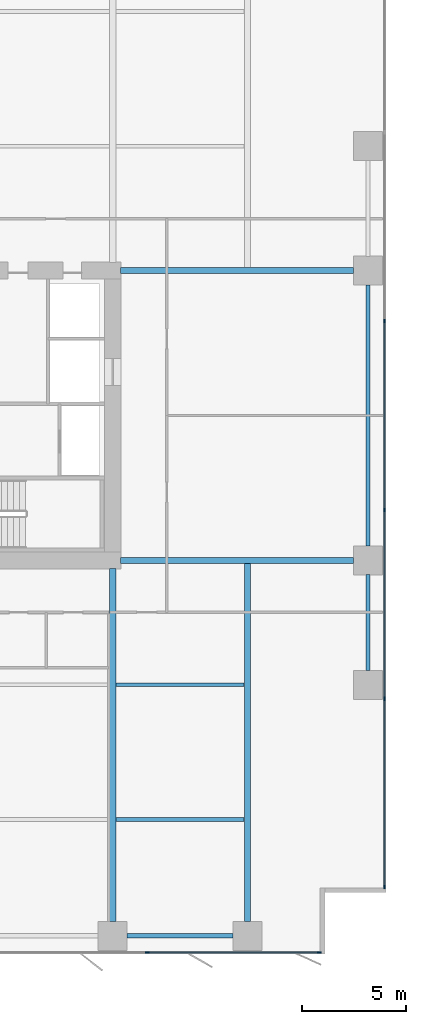
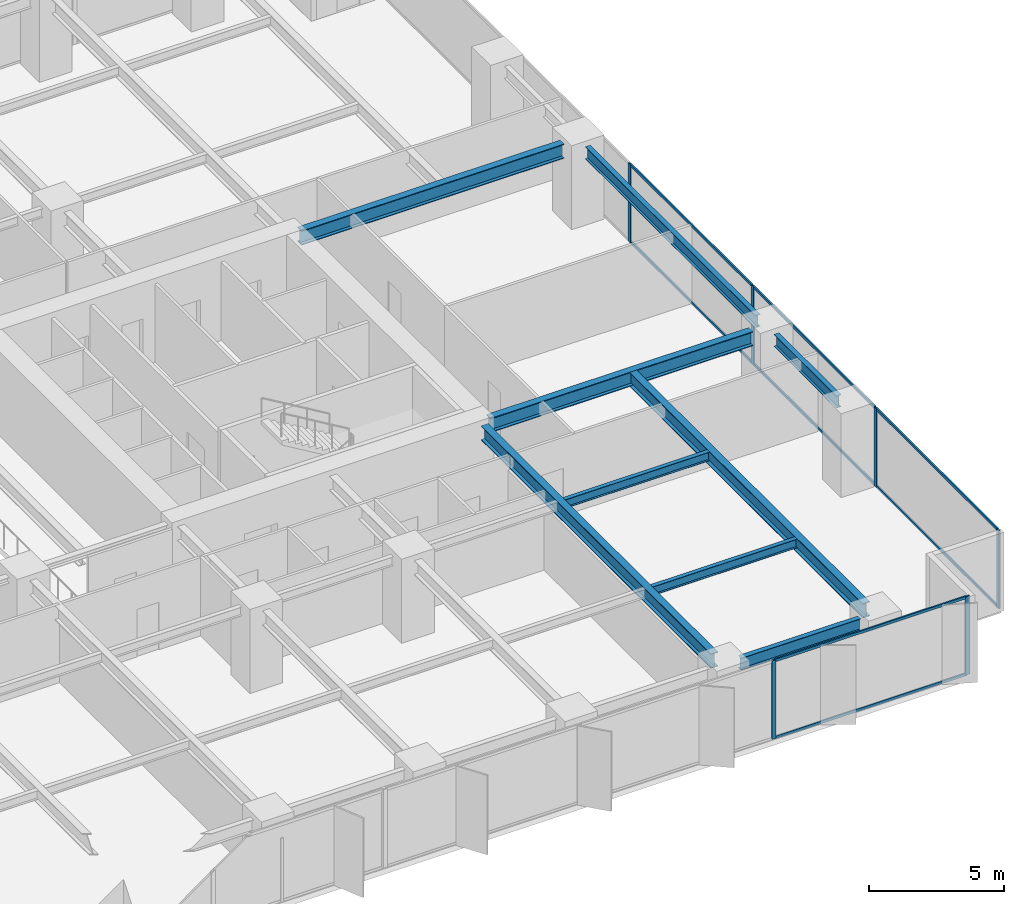
# One storey, part 10 of 20: 14 members, 9 beams, 2 elements without a shape of their own.
"""IFC4 building model written with IfcOpenShell, lengths in metres."""

from ifc_helpers import new_model, si_unit, direction, frame, origin, origin_2d, place, context, subcontext, project, spatial, rectangle, i_section, extrude, material, layer, layer_set, material_profile, profile_set, type_object, element, aggregate, save


model = new_model("IFC4")

# Units and contexts
model_context = context("Model", 3, precision=1e-05, world=origin(), true_north=direction((0.0, 1.0)))
body_context = subcontext(model_context, "Body", "Model", "MODEL_VIEW")
ifc_project = project(units=[si_unit("LENGTHUNIT", "METRE"), si_unit("AREAUNIT", "SQUARE_METRE"), si_unit("VOLUMEUNIT", "CUBIC_METRE"), si_unit("PLANEANGLEUNIT", "RADIAN"), si_unit("MASSUNIT", "GRAM", prefix="KILO")], contexts=[model_context])

# Site, building, storey
site_placement = place(None, origin())
site = spatial("IfcSite", under=ifc_project, at=site_placement, CompositionType="ELEMENT")
building_placement = place(site_placement, origin())
building = spatial("IfcBuilding", under=site, at=building_placement, Name="Putna Gate Headquarters", CompositionType="ELEMENT")
storey_placement = place(building_placement, frame((0.0, 0.0, 65.800048828125)))
storey = spatial("IfcBuildingStorey", under=building, at=storey_placement, Name="L15", CompositionType="ELEMENT", Elevation=65.800048828125)

# Beams
ifc_material_1 = material(Name="Steel S355J2", Category="steel")
ifc_material_profile_1 = material_profile(ifc_material_1, i_section(OverallWidth=0.300048828125, OverallDepth=0.64990234375, WebThickness=0.01611328125, FlangeThickness=0.031005859375, at=origin_2d()), Name="Steel S355J2")
ifc_profile_set_1 = profile_set([ifc_material_profile_1], Name="Steel S355J2")
beam_type_1 = type_object("IfcBeamType", Name="BM-GIRD-Z1-HEB650", PredefinedType="USERDEFINED", material=ifc_profile_set_1)
for number, where, z_axis, x_axis, name in (
    (1, (65.385009765625, 19.0, 3.224853515625), (1.0, 0.0, 0.0), (0.0, 1.0, 0.0), "L15 East Wing Girder Y19"),
    (2, (65.385009765625, 33.0, 3.224853515625), (1.0, 0.0, 0.0), (0.0, 1.0, 0.0), "L15 East Wing Girder Y33"),
):
    element("IfcBeam", number, at=place(storey_placement, frame(where, z_axis=z_axis, x_axis=x_axis)), inside=storey, type_object=beam_type_1, Name=name, ObjectType="GIRDER", PredefinedType="USERDEFINED", context=body_context, shape_type="SweptSolid", body=[
        extrude(i_section(OverallWidth=0.300048828125, OverallDepth=0.64990234375, WebThickness=0.01611328125, FlangeThickness=0.031005859375, at=origin_2d()), origin(), (0.0, 0.0, 1.0), 11.2470703125),
    ])
beam_1_placement = place(storey_placement, frame((65.0, 1.568115234375, 3.224853515625), z_axis=(0.0, 1.0, 0.0), x_axis=(-1.0, 0.0, 0.0)))
element("IfcBeam", 3, at=beam_1_placement, inside=storey, type_object=beam_type_1, Name="L15 South Primary Girder X65", ObjectType="GIRDER", PredefinedType="USERDEFINED", context=body_context, shape_type="SweptSolid", body=[
    extrude(i_section(OverallWidth=0.300048828125, OverallDepth=0.64990234375, WebThickness=0.01611328125, FlangeThickness=0.031005859375, at=origin_2d()), origin(), (0.0, 0.0, 1.0), 17.046875),
])
beam_2_placement = place(storey_placement, frame((71.5, 1.568115234375, 3.224853515625), z_axis=(0.0, 1.0, 0.0), x_axis=(-1.0, 0.0, 0.0)))
element("IfcBeam", 4, at=beam_2_placement, inside=storey, type_object=beam_type_1, Name="L15 South Primary Girder X71", ObjectType="GIRDER", PredefinedType="USERDEFINED", context=body_context, shape_type="SweptSolid", body=[
    extrude(i_section(OverallWidth=0.300048828125, OverallDepth=0.64990234375, WebThickness=0.01611328125, FlangeThickness=0.031005859375, at=origin_2d()), origin(), (0.0, 0.0, 1.0), 17.419921875),
])
ifc_material_profile_2 = material_profile(ifc_material_1, i_section(OverallWidth=0.179931640625, OverallDepth=0.39990234375, WebThickness=0.008544921875, FlangeThickness=0.013427734375, at=origin_2d()), Name="Steel S355J2")
ifc_profile_set_2 = profile_set([ifc_material_profile_2], Name="Steel S355J2")
beam_type_2 = type_object("IfcBeamType", Name="BM-SEC-Z1-IPE400", PredefinedType="BEAM", material=ifc_profile_set_2)
for number, where, z_axis, x_axis, name in (
    (5, (65.154052734375, 6.5, 3.349853515625), (1.0, 0.0, 0.0), (0.0, 1.0, 0.0), "L15 South Secondary Beam 10"),
    (6, (65.154052734375, 13.0, 3.349853515625), (1.0, 0.0, 0.0), (0.0, 1.0, 0.0), "L15 South Secondary Beam 10"),
):
    element("IfcBeam", number, at=place(storey_placement, frame(where, z_axis=z_axis, x_axis=x_axis)), inside=storey, type_object=beam_type_2, Name=name, PredefinedType="BEAM", context=body_context, shape_type="SweptSolid", body=[
        extrude(i_section(OverallWidth=0.179931640625, OverallDepth=0.39990234375, WebThickness=0.008544921875, FlangeThickness=0.013427734375, at=origin_2d()), origin(), (0.0, 0.0, 1.0), 6.19189453125),
    ])
ifc_material_profile_3 = material_profile(ifc_material_1, i_section(OverallWidth=0.2099609375, OverallDepth=0.550048828125, WebThickness=0.010986328125, FlangeThickness=0.01708984375, at=origin_2d()), Name="Steel S355J2")
ifc_profile_set_3 = profile_set([ifc_material_profile_3], Name="Steel S355J2")
beam_type_3 = type_object("IfcBeamType", Name="BM-SPAN-Z1-IPE550", PredefinedType="SPANDREL", material=ifc_profile_set_3)
beam_3_placement = place(storey_placement, frame((65.68798828125, 0.8798828125, 3.27490234375), z_axis=(1.0, 0.0, 0.0), x_axis=(0.0, 1.0, 0.0)))
element("IfcBeam", 7, at=beam_3_placement, inside=storey, type_object=beam_type_3, Name="L15 S Perimeter Spandrel 10", PredefinedType="SPANDREL", context=body_context, shape_type="SweptSolid", body=[
    extrude(i_section(OverallWidth=0.2099609375, OverallDepth=0.550048828125, WebThickness=0.010986328125, FlangeThickness=0.01708984375, at=origin_2d()), origin(), (0.0, 0.0, 1.0), 5.1240234375),
])
beam_4_placement = place(storey_placement, frame((77.320068359375, 13.68798828125, 3.27490234375), z_axis=(0.0, 1.0, 0.0), x_axis=(-1.0, 0.0, 0.0)))
element("IfcBeam", 8, at=beam_4_placement, inside=storey, type_object=beam_type_3, Name="L15 E End Spandrel 1", PredefinedType="SPANDREL", context=body_context, shape_type="SweptSolid", body=[
    extrude(i_section(OverallWidth=0.2099609375, OverallDepth=0.550048828125, WebThickness=0.010986328125, FlangeThickness=0.01708984375, at=origin_2d()), origin(), (0.0, 0.0, 1.0), 4.6240234375),
])
beam_5_placement = place(storey_placement, frame((77.320068359375, 19.68798828125, 3.27490234375), z_axis=(0.0, 1.0, 0.0), x_axis=(-1.0, 0.0, 0.0)))
element("IfcBeam", 9, at=beam_5_placement, inside=storey, type_object=beam_type_3, Name="L15 E End Spandrel 2", PredefinedType="SPANDREL", context=body_context, shape_type="SweptSolid", body=[
    extrude(i_section(OverallWidth=0.2099609375, OverallDepth=0.550048828125, WebThickness=0.010986328125, FlangeThickness=0.01708984375, at=origin_2d()), origin(), (0.0, 0.0, 1.0), 12.6240234375),
])

# Curtain wall, members
ifc_material_2 = material(Name="Anodised bronze aluminium curtain wall", Category="aluminium")
ifc_layer = layer(ifc_material_2, 0.179931640625)
ifc_layer_set = layer_set([ifc_layer], Name="Anodised bronze aluminium curtain wall")
curtain_wall_type = type_object("IfcCurtainWallType", Name="CW-SYS-Z1", PredefinedType="USERDEFINED", material=ifc_layer_set)
curtain_wall_1_placement = place(storey_placement, origin())
curtain_wall_1 = element("IfcCurtainWall", 10, at=curtain_wall_1_placement, inside=storey, type_object=curtain_wall_type, Name="L15 South East Curtain Wall", ObjectType="STICK CURTAIN WALL", PredefinedType="USERDEFINED")
ifc_material_3 = material(Name="Anodised bronze aluminium EN AW-6060", Category="aluminium")
ifc_material_profile_4 = material_profile(ifc_material_3, rectangle(XDim=0.070068359375, YDim=0.179931640625, at=origin_2d()), Name="Anodised bronze aluminium EN AW-6060")
ifc_profile_set_4 = profile_set([ifc_material_profile_4], Name="Anodised bronze aluminium EN AW-6060")
member_type_1 = type_object("IfcMemberType", Name="MULL-CWM-1", PredefinedType="MULLION", material=ifc_profile_set_4)
member_1_placement = place(storey_placement, frame((66.666748046875, 0.080078125, 0.0), z_axis=(0.0, 0.0, 1.0), x_axis=(0.0, 1.0, 0.0)))
member_1 = element("IfcMember", 11, at=member_1_placement, type_object=member_type_1, Name="CWS-1 mullion 3", PredefinedType="MULLION", context=body_context, shape_type="SweptSolid", body=[
    extrude(rectangle(XDim=0.070068359375, YDim=0.179931640625, at=origin_2d()), origin(), (0.0, 0.0, 1.0), 3.550048828125),
])
member_2_placement = place(storey_placement, frame((74.965087890625, 0.080078125, 0.0), z_axis=(0.0, 0.0, 1.0), x_axis=(0.0, 1.0, 0.0)))
member_2 = element("IfcMember", 12, at=member_2_placement, type_object=member_type_1, Name="CWS-1 mullion 4", PredefinedType="MULLION", context=body_context, shape_type="SweptSolid", body=[
    extrude(rectangle(XDim=0.070068359375, YDim=0.179931640625, at=origin_2d()), origin(), (0.0, 0.0, 1.0), 3.550048828125),
])

curtain_wall_2_placement = place(storey_placement, origin())
curtain_wall_2 = element("IfcCurtainWall", 13, at=curtain_wall_2_placement, inside=storey, type_object=curtain_wall_type, Name="L15 East Curtain Wall", ObjectType="STICK CURTAIN WALL", PredefinedType="USERDEFINED")
member_3_placement = place(storey_placement, frame((78.1201171875, 3.235107421875, 0.0), z_axis=(0.0, 0.0, 1.0), x_axis=(-1.0, 0.0, 0.0)))
member_3 = element("IfcMember", 14, at=member_3_placement, type_object=member_type_1, Name="CWS-1 mullion 1", PredefinedType="MULLION", context=body_context, shape_type="SweptSolid", body=[
    extrude(rectangle(XDim=0.070068359375, YDim=0.179931640625, at=origin_2d()), origin(), (0.0, 0.0, 1.0), 3.550048828125),
])
member_4_placement = place(storey_placement, frame((78.1201171875, 12.320068359375, 0.0), z_axis=(0.0, 0.0, 1.0), x_axis=(-1.0, 0.0, 0.0)))
member_4 = element("IfcMember", 15, at=member_4_placement, type_object=member_type_1, Name="CWS-1 mullion 2", PredefinedType="MULLION", context=body_context, shape_type="SweptSolid", body=[
    extrude(rectangle(XDim=0.070068359375, YDim=0.179931640625, at=origin_2d()), origin(), (0.0, 0.0, 1.0), 3.550048828125),
])
member_5_placement = place(storey_placement, frame((78.1201171875, 21.43994140625, 0.0), z_axis=(0.0, 0.0, 1.0), x_axis=(-1.0, 0.0, 0.0)))
member_5 = element("IfcMember", 16, at=member_5_placement, type_object=member_type_1, Name="CWS-1 mullion 3", PredefinedType="MULLION", context=body_context, shape_type="SweptSolid", body=[
    extrude(rectangle(XDim=0.070068359375, YDim=0.179931640625, at=origin_2d()), origin(), (0.0, 0.0, 1.0), 3.550048828125),
])
member_6_placement = place(storey_placement, frame((78.1201171875, 30.56005859375, 0.0), z_axis=(0.0, 0.0, 1.0), x_axis=(-1.0, 0.0, 0.0)))
member_6 = element("IfcMember", 17, at=member_6_placement, type_object=member_type_1, Name="CWS-1 mullion 4", PredefinedType="MULLION", context=body_context, shape_type="SweptSolid", body=[
    extrude(rectangle(XDim=0.070068359375, YDim=0.179931640625, at=origin_2d()), origin(), (0.0, 0.0, 1.0), 3.550048828125),
])

# Member
ifc_material_profile_5 = material_profile(ifc_material_3, rectangle(XDim=0.06494140625, YDim=0.1201171875, at=origin_2d()), Name="Anodised bronze aluminium EN AW-6060")
ifc_profile_set_5 = profile_set([ifc_material_profile_5], Name="Anodised bronze aluminium EN AW-6060")
member_type_2 = type_object("IfcMemberType", Name="TRAN-CWT-1", PredefinedType="USERDEFINED", material=ifc_profile_set_5)
member_7_placement = place(storey_placement, frame((66.70166015625, 0.080078125, 0.032470703125), z_axis=(1.0, 0.0, 0.0), x_axis=(0.0, 1.0, 0.0)))
member_7 = element("IfcMember", 18, at=member_7_placement, type_object=member_type_2, Name="CWS-1 transom 3.1", ObjectType="TRANSOM", PredefinedType="USERDEFINED", context=body_context, shape_type="SweptSolid", body=[
    extrude(rectangle(XDim=0.06494140625, YDim=0.1201171875, at=origin_2d()), origin(), (0.0, 0.0, 1.0), 8.228271484375),
])

member_8_placement = place(storey_placement, frame((66.70166015625, 0.080078125, 3.517333984375), z_axis=(1.0, 0.0, 0.0), x_axis=(0.0, 1.0, 0.0)))
member_8 = element("IfcMember", 19, at=member_8_placement, type_object=member_type_2, Name="CWS-1 transom 3.2", ObjectType="TRANSOM", PredefinedType="USERDEFINED", context=body_context, shape_type="SweptSolid", body=[
    extrude(rectangle(XDim=0.06494140625, YDim=0.1201171875, at=origin_2d()), origin(), (0.0, 0.0, 1.0), 8.228271484375),
])

aggregate(curtain_wall_1, [member_1, member_2, member_7, member_8])

member_9_placement = place(storey_placement, frame((78.1201171875, 3.27001953125, 0.032470703125), z_axis=(0.0, 1.0, 0.0), x_axis=(-1.0, 0.0, 0.0)))
member_9 = element("IfcMember", 20, at=member_9_placement, type_object=member_type_2, Name="CWS-1 transom 1.1", ObjectType="TRANSOM", PredefinedType="USERDEFINED", context=body_context, shape_type="SweptSolid", body=[
    extrude(rectangle(XDim=0.06494140625, YDim=0.1201171875, at=origin_2d()), origin(), (0.0, 0.0, 1.0), 9.014892578125),
])

member_10_placement = place(storey_placement, frame((78.1201171875, 3.27001953125, 3.517333984375), z_axis=(0.0, 1.0, 0.0), x_axis=(-1.0, 0.0, 0.0)))
member_10 = element("IfcMember", 21, at=member_10_placement, type_object=member_type_2, Name="CWS-1 transom 1.2", ObjectType="TRANSOM", PredefinedType="USERDEFINED", context=body_context, shape_type="SweptSolid", body=[
    extrude(rectangle(XDim=0.06494140625, YDim=0.1201171875, at=origin_2d()), origin(), (0.0, 0.0, 1.0), 9.014892578125),
])

member_11_placement = place(storey_placement, frame((78.1201171875, 12.35498046875, 0.032470703125), z_axis=(0.0, 1.0, 0.0), x_axis=(-1.0, 0.0, 0.0)))
member_11 = element("IfcMember", 22, at=member_11_placement, type_object=member_type_2, Name="CWS-1 transom 2.1", ObjectType="TRANSOM", PredefinedType="USERDEFINED", context=body_context, shape_type="SweptSolid", body=[
    extrude(rectangle(XDim=0.06494140625, YDim=0.1201171875, at=origin_2d()), origin(), (0.0, 0.0, 1.0), 9.050048828125),
])

member_12_placement = place(storey_placement, frame((78.1201171875, 12.35498046875, 3.517333984375), z_axis=(0.0, 1.0, 0.0), x_axis=(-1.0, 0.0, 0.0)))
member_12 = element("IfcMember", 23, at=member_12_placement, type_object=member_type_2, Name="CWS-1 transom 2.2", ObjectType="TRANSOM", PredefinedType="USERDEFINED", context=body_context, shape_type="SweptSolid", body=[
    extrude(rectangle(XDim=0.06494140625, YDim=0.1201171875, at=origin_2d()), origin(), (0.0, 0.0, 1.0), 9.050048828125),
])

member_13_placement = place(storey_placement, frame((78.1201171875, 21.47509765625, 0.032470703125), z_axis=(0.0, 1.0, 0.0), x_axis=(-1.0, 0.0, 0.0)))
member_13 = element("IfcMember", 24, at=member_13_placement, type_object=member_type_2, Name="CWS-1 transom 3.1", ObjectType="TRANSOM", PredefinedType="USERDEFINED", context=body_context, shape_type="SweptSolid", body=[
    extrude(rectangle(XDim=0.06494140625, YDim=0.1201171875, at=origin_2d()), origin(), (0.0, 0.0, 1.0), 9.0498046875),
])

member_14_placement = place(storey_placement, frame((78.1201171875, 21.47509765625, 3.517333984375), z_axis=(0.0, 1.0, 0.0), x_axis=(-1.0, 0.0, 0.0)))
member_14 = element("IfcMember", 25, at=member_14_placement, type_object=member_type_2, Name="CWS-1 transom 3.2", ObjectType="TRANSOM", PredefinedType="USERDEFINED", context=body_context, shape_type="SweptSolid", body=[
    extrude(rectangle(XDim=0.06494140625, YDim=0.1201171875, at=origin_2d()), origin(), (0.0, 0.0, 1.0), 9.0498046875),
])

aggregate(curtain_wall_2, [member_3, member_4, member_5, member_6, member_9, member_10, member_11, member_12, member_13, member_14])

save(model, "model.ifc")
